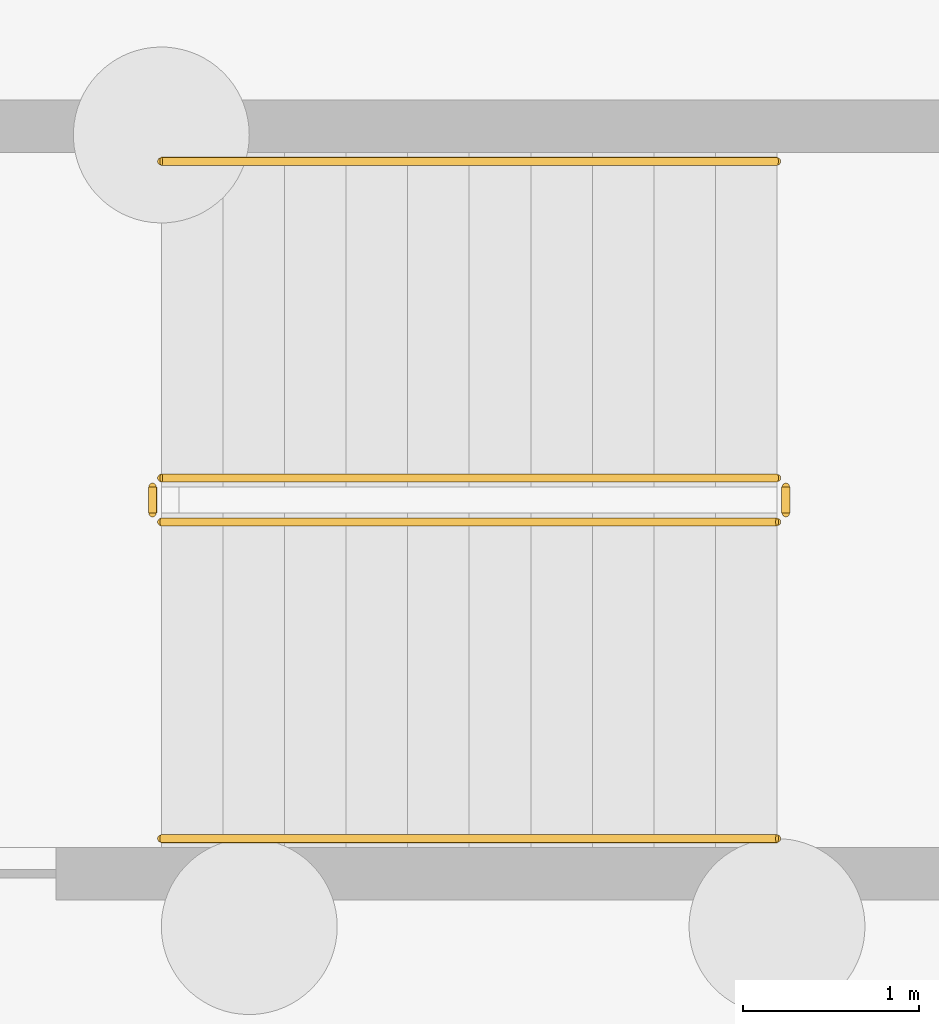
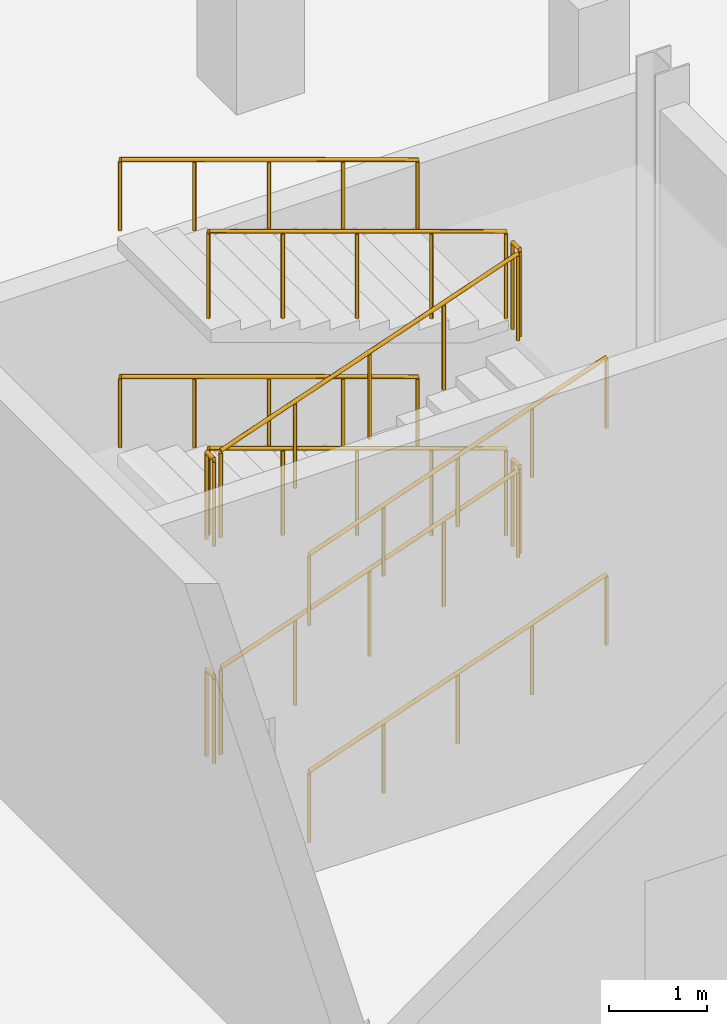
# One storey, part 26 of 29: 12 railings.
"""IFC4 building model written with IfcOpenShell, lengths in metres."""

from ifc_helpers import new_model, si_unit, direction, frame, origin, origin_2d, place, context, subcontext, project, spatial, circle, extrude, material, type_object, element, save


model = new_model("IFC4")

# Units and contexts
model_context = context("Model", 3, precision=1e-05, world=origin(), true_north=direction((0.0, 1.0)))
body_context = subcontext(model_context, "Body", "Model", "MODEL_VIEW")
ifc_project = project(units=[si_unit("LENGTHUNIT", "METRE"), si_unit("AREAUNIT", "SQUARE_METRE"), si_unit("VOLUMEUNIT", "CUBIC_METRE"), si_unit("PLANEANGLEUNIT", "RADIAN"), si_unit("MASSUNIT", "GRAM", prefix="KILO")], contexts=[model_context])

# Site, building, storey
site_placement = place(None, origin())
site = spatial("IfcSite", under=ifc_project, at=site_placement, CompositionType="ELEMENT")
building_placement = place(site_placement, origin())
building = spatial("IfcBuilding", under=site, at=building_placement, Name="Cresset Court Congress Hotel", CompositionType="ELEMENT")
storey_placement = place(building_placement, frame((0.0, 0.0, -5.39990234375)))
storey = spatial("IfcBuildingStorey", under=building, at=storey_placement, Name="B1", CompositionType="ELEMENT", Elevation=-5.39990234375)

# Railings
ifc_material_1 = material(Name="Steel and laminated glass", Category="steel")
railing_type_1 = type_object("IfcRailingType", Name="Guard 1100 steel and glass", PredefinedType="GUARDRAIL", material=ifc_material_1)
railing_1_placement = place(storey_placement, frame((60.89990234375, 23.300048828125, 0.12255859375)))
element("IfcRailing", 1, at=railing_1_placement, inside=storey, type_object=railing_type_1, Name="B1 ST-B3 stair guard 1", PredefinedType="GUARDRAIL", context=body_context, shape_type="SweptSolid", body=[
    extrude(circle(Radius=0.02392578125, at=origin_2d()), frame((0.0, 0.0, 1.076171875), z_axis=(0.943665265509, 0.0, 0.33090159666), x_axis=(0.0, 1.0, 0.0)), (0.0, 0.0, 1.0), 3.708984375),
    extrude(circle(Radius=0.02099609375, at=origin_2d()), origin(), (0.0, 0.0, 1.0), 1.052001953125),
    extrude(circle(Radius=0.02099609375, at=origin_2d()), frame((0.875, 0.0, 0.306884765625)), (0.0, 0.0, 1.0), 1.052001953125),
    extrude(circle(Radius=0.02099609375, at=origin_2d()), frame((1.75, 0.0, 0.61376953125)), (0.0, 0.0, 1.0), 1.052001953125),
    extrude(circle(Radius=0.02099609375, at=origin_2d()), frame((2.625, 0.0, 0.92041015625)), (0.0, 0.0, 1.0), 1.052001953125),
    extrude(circle(Radius=0.02099609375, at=origin_2d()), frame((3.5, 0.0, 1.227294921875)), (0.0, 0.0, 1.0), 1.052001953125),
])
railing_2_placement = place(storey_placement, frame((64.449951171875, 23.35009765625, 1.349853515625)))
element("IfcRailing", 2, at=railing_2_placement, inside=storey, type_object=railing_type_1, Name="B1 ST-B3 stair guard 2", PredefinedType="GUARDRAIL", context=body_context, shape_type="SweptSolid", body=[
    extrude(circle(Radius=0.02392578125, at=origin_2d()), frame((0.0, 0.0, 1.076171875), z_axis=(0.0, 1.0, 0.0), x_axis=(-1.0, 0.0, 0.0)), (0.0, 0.0, 1.0), 0.14990234375),
    extrude(circle(Radius=0.02099609375, at=origin_2d()), origin(), (0.0, 0.0, 1.0), 1.052001953125),
    extrude(circle(Radius=0.02099609375, at=origin_2d()), frame((0.0, 0.14990234375, 0.0)), (0.0, 0.0, 1.0), 1.052001953125),
])
railing_3_placement = place(storey_placement, frame((64.39990234375, 23.550048828125, 1.47265625)))
element("IfcRailing", 3, at=railing_3_placement, inside=storey, type_object=railing_type_1, Name="B1 ST-B3 stair guard 3", PredefinedType="GUARDRAIL", context=body_context, shape_type="SweptSolid", body=[
    extrude(circle(Radius=0.02392578125, at=origin_2d()), frame((0.0, 0.0, 1.076171875), z_axis=(-0.943665265509, 0.0, 0.33090159666), x_axis=(0.0, -1.0, 0.0)), (0.0, 0.0, 1.0), 3.708984375),
    extrude(circle(Radius=0.02099609375, at=origin_2d()), origin(), (0.0, 0.0, 1.0), 1.052001953125),
    extrude(circle(Radius=0.02099609375, at=origin_2d()), frame((-0.875, 0.0, 0.306884765625)), (0.0, 0.0, 1.0), 1.052001953125),
    extrude(circle(Radius=0.02099609375, at=origin_2d()), frame((-1.75, 0.0, 0.61376953125)), (0.0, 0.0, 1.0), 1.052001953125),
    extrude(circle(Radius=0.02099609375, at=origin_2d()), frame((-2.625, 0.0, 0.92041015625)), (0.0, 0.0, 1.0), 1.052001953125),
    extrude(circle(Radius=0.02099609375, at=origin_2d()), frame((-3.5, 0.0, 1.227294921875)), (0.0, 0.0, 1.0), 1.052001953125),
])
railing_4_placement = place(storey_placement, frame((60.85009765625, 23.35009765625, 2.699951171875)))
element("IfcRailing", 4, at=railing_4_placement, inside=storey, type_object=railing_type_1, Name="B1 ST-B3 stair guard 4", PredefinedType="GUARDRAIL", context=body_context, shape_type="SweptSolid", body=[
    extrude(circle(Radius=0.02392578125, at=origin_2d()), frame((0.0, 0.0, 1.076171875), z_axis=(0.0, 1.0, 0.0), x_axis=(-1.0, 0.0, 0.0)), (0.0, 0.0, 1.0), 0.14990234375),
    extrude(circle(Radius=0.02099609375, at=origin_2d()), origin(), (0.0, 0.0, 1.0), 1.052001953125),
    extrude(circle(Radius=0.02099609375, at=origin_2d()), frame((0.0, 0.14990234375, 0.0)), (0.0, 0.0, 1.0), 1.052001953125),
])
railing_5_placement = place(storey_placement, frame((60.89990234375, 23.300048828125, 2.822509765625)))
element("IfcRailing", 5, at=railing_5_placement, inside=storey, type_object=railing_type_1, Name="B1 ST-B3 stair guard 5", PredefinedType="GUARDRAIL", context=body_context, shape_type="SweptSolid", body=[
    extrude(circle(Radius=0.02392578125, at=origin_2d()), frame((0.0, 0.0, 1.076171875), z_axis=(0.943665265509, 0.0, 0.33090159666), x_axis=(0.0, 1.0, 0.0)), (0.0, 0.0, 1.0), 3.708984375),
    extrude(circle(Radius=0.02099609375, at=origin_2d()), origin(), (0.0, 0.0, 1.0), 1.052001953125),
    extrude(circle(Radius=0.02099609375, at=origin_2d()), frame((0.875, 0.0, 0.306884765625)), (0.0, 0.0, 1.0), 1.052001953125),
    extrude(circle(Radius=0.02099609375, at=origin_2d()), frame((1.75, 0.0, 0.61376953125)), (0.0, 0.0, 1.0), 1.052001953125),
    extrude(circle(Radius=0.02099609375, at=origin_2d()), frame((2.625, 0.0, 0.92041015625)), (0.0, 0.0, 1.0), 1.052001953125),
    extrude(circle(Radius=0.02099609375, at=origin_2d()), frame((3.5, 0.0, 1.227294921875)), (0.0, 0.0, 1.0), 1.052001953125),
])
railing_6_placement = place(storey_placement, frame((64.449951171875, 23.35009765625, 4.0498046875)))
element("IfcRailing", 6, at=railing_6_placement, inside=storey, type_object=railing_type_1, Name="B1 ST-B3 stair guard 6", PredefinedType="GUARDRAIL", context=body_context, shape_type="SweptSolid", body=[
    extrude(circle(Radius=0.02392578125, at=origin_2d()), frame((0.0, 0.0, 1.076171875), z_axis=(0.0, 1.0, 0.0), x_axis=(-1.0, 0.0, 0.0)), (0.0, 0.0, 1.0), 0.14990234375),
    extrude(circle(Radius=0.02099609375, at=origin_2d()), origin(), (0.0, 0.0, 1.0), 1.052001953125),
    extrude(circle(Radius=0.02099609375, at=origin_2d()), frame((0.0, 0.14990234375, 0.0)), (0.0, 0.0, 1.0), 1.052001953125),
])
railing_7_placement = place(storey_placement, frame((64.39990234375, 23.550048828125, 4.172607421875)))
element("IfcRailing", 7, at=railing_7_placement, inside=storey, type_object=railing_type_1, Name="B1 ST-B3 stair guard 7", PredefinedType="GUARDRAIL", context=body_context, shape_type="SweptSolid", body=[
    extrude(circle(Radius=0.02392578125, at=origin_2d()), frame((0.0, 0.0, 1.076171875), z_axis=(-0.943665265509, 0.0, 0.33090159666), x_axis=(0.0, -1.0, 0.0)), (0.0, 0.0, 1.0), 3.708984375),
    extrude(circle(Radius=0.02099609375, at=origin_2d()), origin(), (0.0, 0.0, 1.0), 1.052001953125),
    extrude(circle(Radius=0.02099609375, at=origin_2d()), frame((-0.875, 0.0, 0.306884765625)), (0.0, 0.0, 1.0), 1.052001953125),
    extrude(circle(Radius=0.02099609375, at=origin_2d()), frame((-1.75, 0.0, 0.61376953125)), (0.0, 0.0, 1.0), 1.052001953125),
    extrude(circle(Radius=0.02099609375, at=origin_2d()), frame((-2.625, 0.0, 0.92041015625)), (0.0, 0.0, 1.0), 1.052001953125),
    extrude(circle(Radius=0.02099609375, at=origin_2d()), frame((-3.5, 0.0, 1.227294921875)), (0.0, 0.0, 1.0), 1.052001953125),
])
railing_8_placement = place(storey_placement, frame((60.85009765625, 23.35009765625, 0.0)))
element("IfcRailing", 8, at=railing_8_placement, inside=storey, type_object=railing_type_1, Name="B1 ST-B3 stair guard 8", PredefinedType="GUARDRAIL", context=body_context, shape_type="SweptSolid", body=[
    extrude(circle(Radius=0.02392578125, at=origin_2d()), frame((0.0, 0.0, 1.076171875), z_axis=(0.0, 1.0, 0.0), x_axis=(-1.0, 0.0, 0.0)), (0.0, 0.0, 1.0), 0.14990234375),
    extrude(circle(Radius=0.02099609375, at=origin_2d()), origin(), (0.0, 0.0, 1.0), 1.052001953125),
    extrude(circle(Radius=0.02099609375, at=origin_2d()), frame((0.0, 0.14990234375, 0.0)), (0.0, 0.0, 1.0), 1.052001953125),
])
ifc_material_2 = material(Name="Stainless steel", Category="steel")
railing_type_2 = type_object("IfcRailingType", Name="Handrail 48 stainless", PredefinedType="HANDRAIL", material=ifc_material_2)
railing_9_placement = place(storey_placement, frame((60.89990234375, 21.5, 0.12255859375)))
element("IfcRailing", 9, at=railing_9_placement, inside=storey, type_object=railing_type_2, Name="B1 ST-B3 stair handrail 1", PredefinedType="HANDRAIL", context=body_context, shape_type="SweptSolid", body=[
    extrude(circle(Radius=0.02392578125, at=origin_2d()), frame((0.0, 0.0, 0.8759765625), z_axis=(0.943665265509, 0.0, 0.33090159666), x_axis=(0.0, 1.0, 0.0)), (0.0, 0.0, 1.0), 3.708984375),
    extrude(circle(Radius=0.02099609375, at=origin_2d()), origin(), (0.0, 0.0, 1.0), 0.851806640625),
    extrude(circle(Radius=0.02099609375, at=origin_2d()), frame((0.875, 0.0, 0.306884765625)), (0.0, 0.0, 1.0), 0.851806640625),
    extrude(circle(Radius=0.02099609375, at=origin_2d()), frame((1.75, 0.0, 0.61376953125)), (0.0, 0.0, 1.0), 0.851806640625),
    extrude(circle(Radius=0.02099609375, at=origin_2d()), frame((2.625, 0.0, 0.92041015625)), (0.0, 0.0, 1.0), 0.851806640625),
    extrude(circle(Radius=0.02099609375, at=origin_2d()), frame((3.5, 0.0, 1.227294921875)), (0.0, 0.0, 1.0), 0.851806640625),
])
railing_10_placement = place(storey_placement, frame((64.39990234375, 25.35009765625, 1.47265625)))
element("IfcRailing", 10, at=railing_10_placement, inside=storey, type_object=railing_type_2, Name="B1 ST-B3 stair handrail 2", PredefinedType="HANDRAIL", context=body_context, shape_type="SweptSolid", body=[
    extrude(circle(Radius=0.02392578125, at=origin_2d()), frame((0.0, 0.0, 0.8759765625), z_axis=(-0.943665265509, 0.0, 0.33090159666), x_axis=(0.0, -1.0, 0.0)), (0.0, 0.0, 1.0), 3.708984375),
    extrude(circle(Radius=0.02099609375, at=origin_2d()), origin(), (0.0, 0.0, 1.0), 0.851806640625),
    extrude(circle(Radius=0.02099609375, at=origin_2d()), frame((-0.875, 0.0, 0.306884765625)), (0.0, 0.0, 1.0), 0.851806640625),
    extrude(circle(Radius=0.02099609375, at=origin_2d()), frame((-1.75, 0.0, 0.61376953125)), (0.0, 0.0, 1.0), 0.851806640625),
    extrude(circle(Radius=0.02099609375, at=origin_2d()), frame((-2.625, 0.0, 0.92041015625)), (0.0, 0.0, 1.0), 0.851806640625),
    extrude(circle(Radius=0.02099609375, at=origin_2d()), frame((-3.5, 0.0, 1.227294921875)), (0.0, 0.0, 1.0), 0.851806640625),
])
railing_11_placement = place(storey_placement, frame((60.89990234375, 21.5, 2.822509765625)))
element("IfcRailing", 11, at=railing_11_placement, inside=storey, type_object=railing_type_2, Name="B1 ST-B3 stair handrail 3", PredefinedType="HANDRAIL", context=body_context, shape_type="SweptSolid", body=[
    extrude(circle(Radius=0.02392578125, at=origin_2d()), frame((0.0, 0.0, 0.8759765625), z_axis=(0.943665265509, 0.0, 0.33090159666), x_axis=(0.0, 1.0, 0.0)), (0.0, 0.0, 1.0), 3.708984375),
    extrude(circle(Radius=0.02099609375, at=origin_2d()), origin(), (0.0, 0.0, 1.0), 0.851806640625),
    extrude(circle(Radius=0.02099609375, at=origin_2d()), frame((0.875, 0.0, 0.306884765625)), (0.0, 0.0, 1.0), 0.851806640625),
    extrude(circle(Radius=0.02099609375, at=origin_2d()), frame((1.75, 0.0, 0.61376953125)), (0.0, 0.0, 1.0), 0.851806640625),
    extrude(circle(Radius=0.02099609375, at=origin_2d()), frame((2.625, 0.0, 0.92041015625)), (0.0, 0.0, 1.0), 0.851806640625),
    extrude(circle(Radius=0.02099609375, at=origin_2d()), frame((3.5, 0.0, 1.227294921875)), (0.0, 0.0, 1.0), 0.851806640625),
])
railing_12_placement = place(storey_placement, frame((64.39990234375, 25.35009765625, 4.172607421875)))
element("IfcRailing", 12, at=railing_12_placement, inside=storey, type_object=railing_type_2, Name="B1 ST-B3 stair handrail 4", PredefinedType="HANDRAIL", context=body_context, shape_type="SweptSolid", body=[
    extrude(circle(Radius=0.02392578125, at=origin_2d()), frame((0.0, 0.0, 0.8759765625), z_axis=(-0.943665265509, 0.0, 0.33090159666), x_axis=(0.0, -1.0, 0.0)), (0.0, 0.0, 1.0), 3.708984375),
    extrude(circle(Radius=0.02099609375, at=origin_2d()), origin(), (0.0, 0.0, 1.0), 0.851806640625),
    extrude(circle(Radius=0.02099609375, at=origin_2d()), frame((-0.875, 0.0, 0.306884765625)), (0.0, 0.0, 1.0), 0.851806640625),
    extrude(circle(Radius=0.02099609375, at=origin_2d()), frame((-1.75, 0.0, 0.61376953125)), (0.0, 0.0, 1.0), 0.851806640625),
    extrude(circle(Radius=0.02099609375, at=origin_2d()), frame((-2.625, 0.0, 0.92041015625)), (0.0, 0.0, 1.0), 0.851806640625),
    extrude(circle(Radius=0.02099609375, at=origin_2d()), frame((-3.5, 0.0, 1.227294921875)), (0.0, 0.0, 1.0), 0.851806640625),
])

save(model, "model.ifc")
